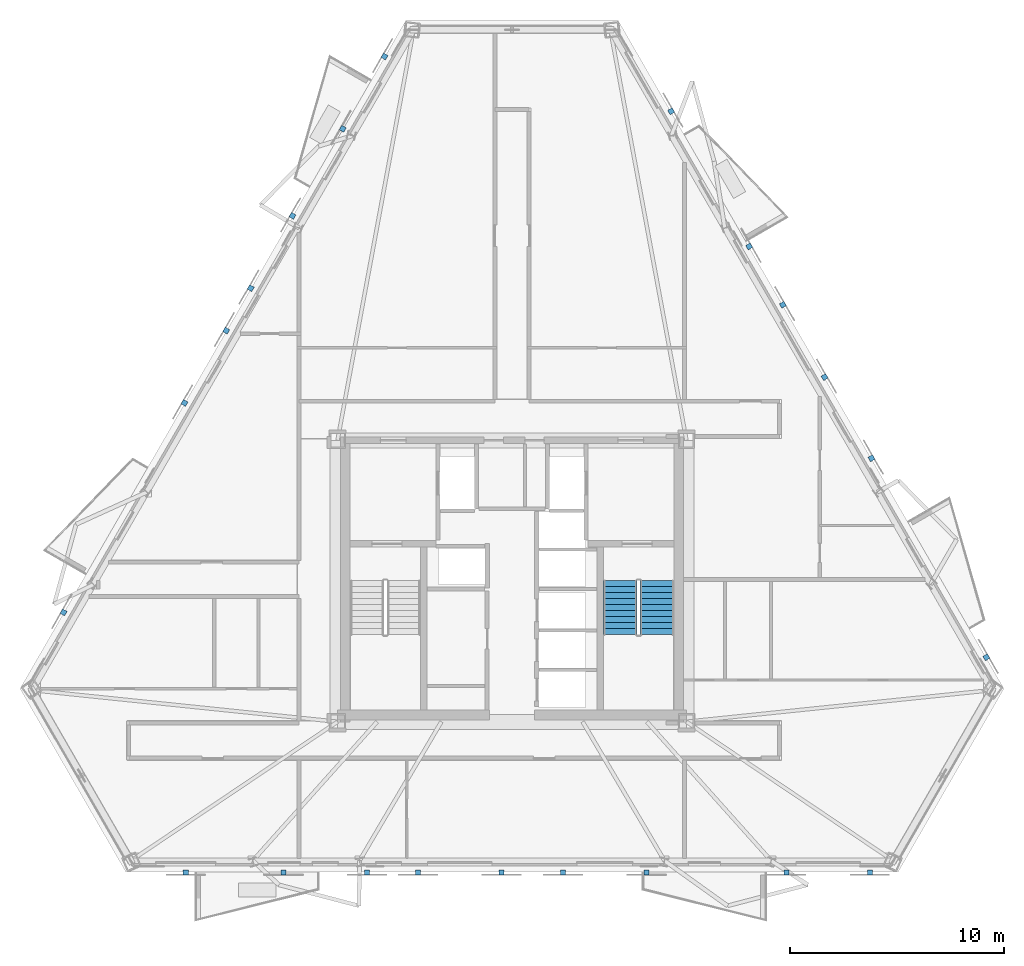
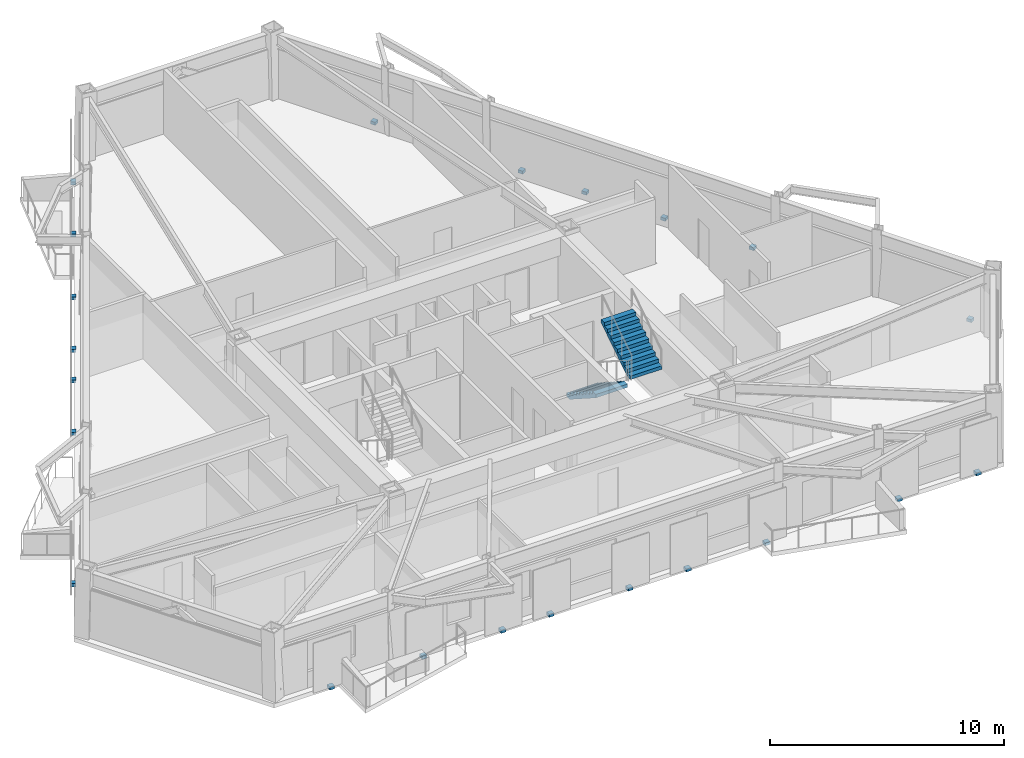
# One storey, part 6 of 9: 22 discrete accessories, 2 stair flights, 1 element without a shape of its own.
"""IFC4 building model written with IfcOpenShell, lengths in metres."""

from ifc_helpers import new_model, si_unit, direction, frame, origin, origin_2d, place, context, subcontext, project, spatial, polyline, rectangle, outline, extrude, material, type_object, element, aggregate, save


model = new_model("IFC4")

# Units and contexts
model_context = context("Model", 3, precision=1e-05, world=origin(), true_north=direction((0.0, 1.0)))
body_context = subcontext(model_context, "Body", "Model", "MODEL_VIEW")
ifc_project = project(units=[si_unit("LENGTHUNIT", "METRE"), si_unit("AREAUNIT", "SQUARE_METRE"), si_unit("VOLUMEUNIT", "CUBIC_METRE"), si_unit("PLANEANGLEUNIT", "RADIAN"), si_unit("MASSUNIT", "GRAM", prefix="KILO")], contexts=[model_context])

# Site, building, storey
site_placement = place(None, origin())
site = spatial("IfcSite", under=ifc_project, at=site_placement, CompositionType="ELEMENT")
building_placement = place(site_placement, origin())
building = spatial("IfcBuilding", under=site, at=building_placement, Name="Oramaril Tower", CompositionType="ELEMENT")
storey_placement = place(building_placement, frame((0.0, 0.0, 153.0)))
storey = spatial("IfcBuildingStorey", under=building, at=storey_placement, Name="L40", CompositionType="ELEMENT", Elevation=153.0)

# Stair, stair flights
ifc_material_1 = material(Name="Concrete C50/60", Category="concrete")
stair_type = type_object("IfcStairType", Name="STT-DG-3600", PredefinedType="HALF_TURN_STAIR", material=ifc_material_1)
stair_placement = place(storey_placement, origin())
stair = element("IfcStair", 1, at=stair_placement, inside=storey, type_object=stair_type, Name="L40 Protected PFP Exit Stair ST-2", PredefinedType="HALF_TURN_STAIR")
ifc_material_2 = material(Name="Concrete C50/60", Category="concrete")
stair_flight_type = type_object("IfcStairFlightType", Name="SFT-DG-3600", PredefinedType="STRAIGHT", material=ifc_material_2)
stair_flight_1_placement = place(storey_placement, frame((42.56005859375, 17.590087890625, 0.0), z_axis=(0.0, 0.0, 1.0), x_axis=(0.0, -1.0, 0.0)))
stair_flight_1 = element("IfcStairFlight", 2, at=stair_flight_1_placement, type_object=stair_flight_type, Name="ST-2 flight 1", NumberOfRisers=10, NumberOfTreads=9, PredefinedType="STRAIGHT", RiserHeight=0.18, TreadLength=0.28, context=body_context, shape_type="SweptSolid", body=[
    extrude(outline(polyline([(0.0, 0.0), (0.0, 0.179931640625), (0.280029296875, 0.179931640625), (0.280029296875, 0.360107421875), (0.56005859375, 0.360107421875), (0.56005859375, 0.5400390625), (0.840087890625, 0.5400390625), (0.840087890625, 0.719970703125), (1.1201171875, 0.719970703125), (1.1201171875, 0.89990234375), (1.39990234375, 0.89990234375), (1.39990234375, 1.080078125), (1.679931640625, 1.080078125), (1.679931640625, 1.260009765625), (1.9599609375, 1.260009765625), (1.9599609375, 1.43994140625), (2.239990234375, 1.43994140625), (2.239990234375, 1.6201171875), (2.52001953125, 1.6201171875), (2.52001953125, 1.800048828125), (2.52001953125, 1.44189453125), (0.277099609375, 0.0), (0.0, 0.0)])), frame((0.0, 0.780029296875, 0.0), z_axis=(0.0, -1.0, 0.0), x_axis=(1.0, 0.0, 0.0)), (0.0, 0.0, 1.0), 1.56005859375),
])
stair_flight_2_placement = place(storey_placement, frame((44.27001953125, 15.070068359375, 1.800048828125), z_axis=(0.0, 0.0, 1.0), x_axis=(0.0, 1.0, 0.0)))
stair_flight_2 = element("IfcStairFlight", 3, at=stair_flight_2_placement, type_object=stair_flight_type, Name="ST-2 flight 2", NumberOfRisers=10, NumberOfTreads=9, PredefinedType="STRAIGHT", RiserHeight=0.18, TreadLength=0.28, context=body_context, shape_type="SweptSolid", body=[
    extrude(outline(polyline([(0.0, 0.0), (0.0, 0.179931640625), (0.280029296875, 0.179931640625), (0.280029296875, 0.360107421875), (0.56005859375, 0.360107421875), (0.56005859375, 0.5400390625), (0.840087890625, 0.5400390625), (0.840087890625, 0.719970703125), (1.1201171875, 0.719970703125), (1.1201171875, 0.89990234375), (1.39990234375, 0.89990234375), (1.39990234375, 1.080078125), (1.679931640625, 1.080078125), (1.679931640625, 1.260009765625), (1.9599609375, 1.260009765625), (1.9599609375, 1.43994140625), (2.239990234375, 1.43994140625), (2.239990234375, 1.6201171875), (2.52001953125, 1.6201171875), (2.52001953125, 1.800048828125), (2.52001953125, 1.44189453125), (0.277099609375, 0.0), (0.0, 0.0)])), frame((0.0, 0.780029296875, 0.0), z_axis=(0.0, -1.0, 0.0), x_axis=(1.0, 0.0, 0.0)), (0.0, 0.0, 1.0), 1.56005859375),
])
aggregate(stair, [stair_flight_1, stair_flight_2])

# Discrete accessories
for number, where, z_axis, x_axis, name in (
    (4, (33.1083984375, 3.9541015625, -0.14013671875), (0.0, 0.0, 1.0), (1.0, 0.0, 0.0), "L40 Solar Screen Slab Bracket"),
    (5, (37.008544921875, 3.9541015625, -0.14013671875), (0.0, 0.0, 1.0), (1.0, 0.0, 0.0), "L40 Solar Screen Slab Bracket"),
    (6, (39.88525390625, 3.9541015625, -0.14013671875), (0.0, 0.0, 1.0), (1.0, 0.0, 0.0), "L40 Solar Screen Slab Bracket"),
    (7, (43.785400390625, 3.9541015625, -0.14013671875), (0.0, 0.0, 1.0), (1.0, 0.0, 0.0), "L40 Solar Screen Slab Bracket"),
    (8, (26.82666015625, 3.9541015625, -0.14013671875), (0.0, 0.0, 1.0), (1.0, 0.0, 0.0), "L40 Solar Screen Slab Bracket"),
    (9, (30.726806640625, 3.9541015625, -0.14013671875), (0.0, 0.0, 1.0), (1.0, 0.0, 0.0), "L40 Solar Screen Slab Bracket"),
    (10, (22.2607421875, 3.9541015625, -0.14013671875), (0.0, 0.0, 1.0), (1.0, 0.0, 0.0), "L40 Solar Screen Slab Bracket"),
    (11, (50.31689453125, 3.9541015625, -0.14013671875), (0.0, 0.0, 1.0), (1.0, 0.0, 0.0), "L40 Solar Screen Slab Bracket"),
    (12, (54.216796875, 3.9541015625, -0.14013671875), (0.0, 0.0, 1.0), (1.0, 0.0, 0.0), "L40 Solar Screen Slab Bracket"),
    (13, (59.659912109375, 14.009765625, -0.14013671875), (0.0, 0.0, 1.0), (-0.5, 0.866025403784, 0.0), "L40 Solar Screen Slab Bracket"),
    (14, (52.10205078125, 27.100341796875, -0.14013671875), (0.0, 0.0, 1.0), (-0.5, 0.866025403784, 0.0), "L40 Solar Screen Slab Bracket"),
    (15, (50.152099609375, 30.477783203125, -0.14013671875), (0.0, 0.0, 1.0), (-0.5, 0.866025403784, 0.0), "L40 Solar Screen Slab Bracket"),
    (16, (48.578857421875, 33.202880859375, -0.14013671875), (0.0, 0.0, 1.0), (-0.5, 0.866025403784, 0.0), "L40 Solar Screen Slab Bracket"),
    (17, (54.291259765625, 23.308837890625, -0.14013671875), (0.0, 0.0, 1.0), (-0.5, 0.866025403784, 0.0), "L40 Solar Screen Slab Bracket"),
    (18, (44.932861328125, 39.517822265625, -0.14013671875), (0.0, 0.0, 1.0), (-0.5, 0.866025403784, 0.0), "L40 Solar Screen Slab Bracket"),
    (19, (16.552978515625, 16.1103515625, -0.14013671875), (0.0, 0.0, 1.0), (-0.5, -0.866025403784, 0.0), "L40 Solar Screen Slab Bracket"),
    (20, (24.15087890625, 29.2705078125, -0.14013671875), (0.0, 0.0, 1.0), (-0.5, -0.866025403784, 0.0), "L40 Solar Screen Slab Bracket"),
    (21, (22.20068359375, 25.892822265625, -0.14013671875), (0.0, 0.0, 1.0), (-0.5, -0.866025403784, 0.0), "L40 Solar Screen Slab Bracket"),
    (22, (27.24658203125, 34.6328125, -0.14013671875), (0.0, 0.0, 1.0), (-0.5, -0.866025403784, 0.0), "L40 Solar Screen Slab Bracket"),
    (23, (25.296630859375, 31.255126953125, -0.14013671875), (0.0, 0.0, 1.0), (-0.5, -0.866025403784, 0.0), "L40 Solar Screen Slab Bracket"),
    (24, (31.544677734375, 42.076904296875, -0.14013671875), (0.0, 0.0, 1.0), (-0.5, -0.866025403784, 0.0), "L40 Solar Screen Slab Bracket"),
    (25, (29.5947265625, 38.699462890625, -0.14013671875), (0.0, 0.0, 1.0), (-0.5, -0.866025403784, 0.0), "L40 Solar Screen Slab Bracket"),
):
    element("IfcDiscreteAccessory", number, at=place(storey_placement, frame(where, z_axis=z_axis, x_axis=x_axis)), inside=storey, Name=name, PredefinedType="BRACKET", context=body_context, shape_type="SweptSolid", body=[
        extrude(rectangle(XDim=0.239990234375, YDim=0.239990234375, at=origin_2d()), origin(), (0.0, 0.0, 1.0), 0.159912109375),
    ])

save(model, "model.ifc")
